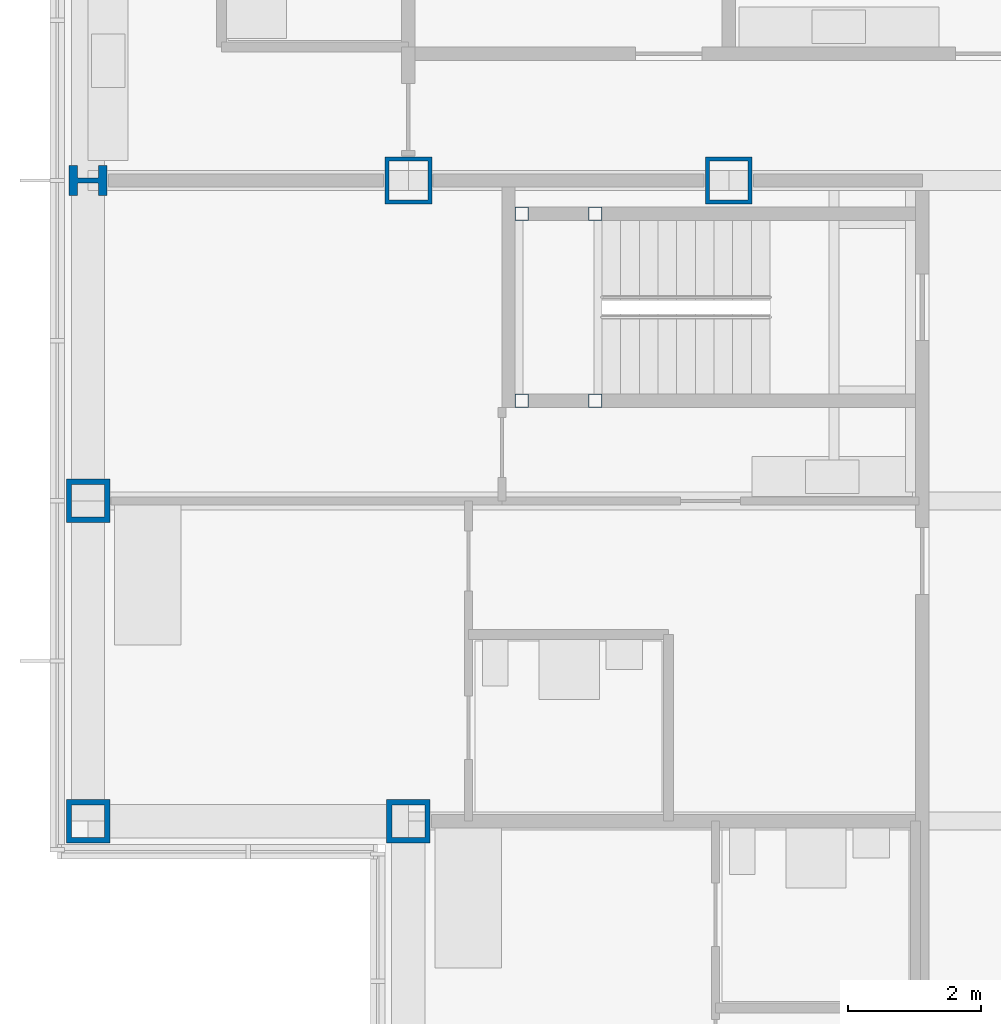
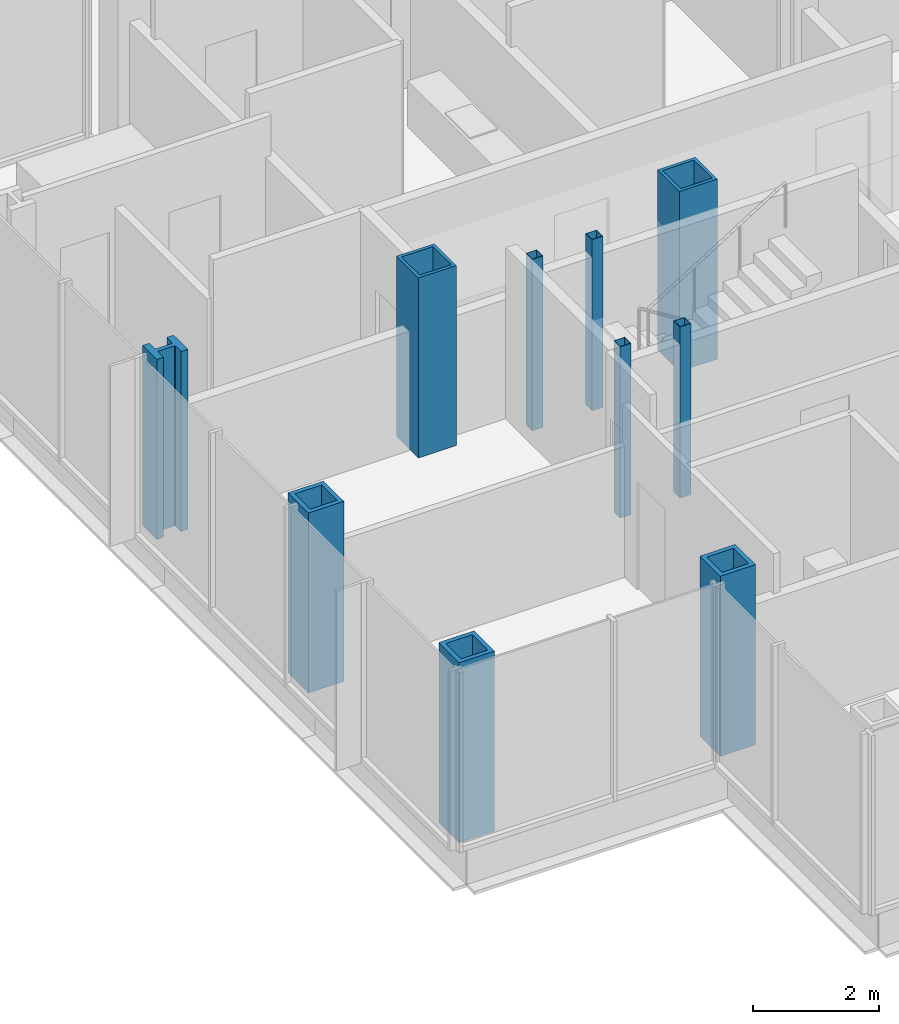
# One storey, part 3 of 20: 10 columns.
"""IFC4 building model written with IfcOpenShell, lengths in metres."""

import ifcopenshell
import ifcopenshell.guid

model = None  # the IFC model being written
_history = None  # IfcOwnerHistory: only IFC2X3 demands one
_inside = {}  # id of a spatial element -> (the spatial element, [elements in it])
_under = {}  # id of a project, library or spatial element -> (it, [spatial elements below it])
_declared = {}  # id of a project -> (the project, [libraries it declares])
_typed = {}  # id of a type object -> (the type object, [elements of that type])
_made_of = {}  # id of a material, layer set ... -> (it, [elements and type objects made of it])


def new_model(schema):
    """Start an empty IFC model of exactly this schema.

    Asked for "IFC4X3", IfcOpenShell would pick the latest addendum, in which some entities
    have other attributes; the version numbers below select the first issue.
    IFC2X3 requires an IfcOwnerHistory on every rooted entity: one is made here for all.
    """
    global model, _history
    if schema == "IFC4X3":
        model = ifcopenshell.file(schema_version=(4, 3, 0, 0))
    else:
        model = ifcopenshell.file(schema=schema)
    _inside.clear()
    _under.clear()
    _declared.clear()
    _typed.clear()
    _made_of.clear()
    _history = None
    if model.schema == "IFC2X3":
        org = make("IfcOrganization", Name="unknown")
        user = make(
            "IfcPersonAndOrganization",
            ThePerson=make("IfcPerson", FamilyName="unknown"),
            TheOrganization=org,
        )
        app = make(
            "IfcApplication",
            ApplicationDeveloper=org,
            Version="unknown",
            ApplicationFullName="unknown",
            ApplicationIdentifier="unknown",
        )
        _history = make(
            "IfcOwnerHistory",
            OwningUser=user,
            OwningApplication=app,
            ChangeAction="ADDED",
            CreationDate=0,
        )
    return model


def make(cls, **values):
    """One entity of the class cls with the attributes given. An attribute that is None is left unset."""
    return model.create_entity(
        cls, **{name: value for name, value in values.items() if value is not None}
    )


def rooted(cls, **values):
    """An entity with a GlobalId (a new one), such as an element, a storey or a relation."""
    return make(cls, GlobalId=ifcopenshell.guid.new(), OwnerHistory=_history, **values)


def si_unit(unit_type, name, prefix=None):
    """IfcSIUnit, for example si_unit("LENGTHUNIT", "METRE", prefix="MILLI")."""
    return make("IfcSIUnit", UnitType=unit_type, Prefix=prefix, Name=name)


def assignment(units):
    """IfcUnitAssignment: the units of a project."""
    return None if units is None else make("IfcUnitAssignment", Units=units)


def point(xyz):
    """IfcCartesianPoint."""
    return None if xyz is None else make("IfcCartesianPoint", Coordinates=xyz)


def direction(xyz):
    """IfcDirection."""
    return None if xyz is None else make("IfcDirection", DirectionRatios=xyz)


def frame(location, z_axis=None, x_axis=None):
    """IfcAxis2Placement3D, a coordinate frame: its origin and axes. An axis left out is left unset."""
    return make(
        "IfcAxis2Placement3D",
        Location=point(location),
        Axis=direction(z_axis),
        RefDirection=direction(x_axis),
    )


def frame_2d(location, x_axis=None):
    """IfcAxis2Placement2D, a coordinate frame in the plane: its origin and x axis."""
    return make(
        "IfcAxis2Placement2D", Location=point(location), RefDirection=direction(x_axis)
    )


def origin():
    """The frame at (0, 0, 0) with its axes left unset."""
    return frame((0.0, 0.0, 0.0))


def origin_2d():
    """The frame at (0, 0) in the plane with its x axis left unset."""
    return frame_2d((0.0, 0.0))


def place(relative_to, where):
    """IfcLocalPlacement: puts the frame where relative to a parent placement (None: the world)."""
    return make(
        "IfcLocalPlacement", PlacementRelTo=relative_to, RelativePlacement=where
    )


def context(
    kind, dimensions, precision=None, world=None, true_north=None, identifier=None
):
    """IfcGeometricRepresentationContext, for example the 3D "Model" context."""
    return make(
        "IfcGeometricRepresentationContext",
        ContextIdentifier=identifier,
        ContextType=kind,
        CoordinateSpaceDimension=dimensions,
        Precision=precision,
        WorldCoordinateSystem=world,
        TrueNorth=true_north,
    )


def subcontext(parent, identifier, kind, view, scale=None):
    """IfcGeometricRepresentationSubContext, for example "Body" below "Model"."""
    return make(
        "IfcGeometricRepresentationSubContext",
        ContextIdentifier=identifier,
        ContextType=kind,
        ParentContext=parent,
        TargetScale=scale,
        TargetView=view,
    )


def project(units=None, contexts=None):
    """IfcProject with its units and contexts."""
    return rooted(
        "IfcProject",
        Name="project",
        RepresentationContexts=contexts,
        UnitsInContext=assignment(units),
    )


def spatial(cls, under=None, at=None, **own):
    """A site, building, storey or space (cls), placed at a placement, below another one or the project."""
    s = rooted(cls, ObjectPlacement=at, **own)
    if under is not None:
        _under.setdefault(under.id(), (under, []))[1].append(s)
    return s


def profile(cls, at=None, kind="AREA", **sizes):
    """A parametric profile (cls). Its sizes go by their IFC names, for example OverallWidth=200.0."""
    return make(cls, ProfileType=kind, Position=at, **sizes)


def hollow_rectangle(**sizes):
    """IfcRectangleHollowProfileDef."""
    return profile("IfcRectangleHollowProfileDef", **sizes)


def i_section(**sizes):
    """IfcIShapeProfileDef."""
    return profile("IfcIShapeProfileDef", **sizes)


def extrude(swept, where, along, depth):
    """IfcExtrudedAreaSolid: the profile swept, set in the frame where, extruded along a direction by depth."""
    return make(
        "IfcExtrudedAreaSolid",
        SweptArea=swept,
        Position=where,
        ExtrudedDirection=direction(along),
        Depth=depth,
    )


def shape(context_of_items, identifier, shape_type, items):
    """IfcShapeRepresentation: the items that make up one representation, for example the "Body"."""
    return make(
        "IfcShapeRepresentation",
        ContextOfItems=context_of_items,
        RepresentationIdentifier=identifier,
        RepresentationType=shape_type,
        Items=items,
    )


def material(Name=None, Category=None):
    """IfcMaterial."""
    return make("IfcMaterial", Name=Name, Category=Category)


def material_profile(
    of_material, cross_section, Name=None, Category=None, Priority=None
):
    """IfcMaterialProfile: a cross section and its material."""
    return make(
        "IfcMaterialProfile",
        Name=Name,
        Material=of_material,
        Profile=cross_section,
        Priority=Priority,
        Category=Category,
    )


def profile_set(profiles, Name=None, composite=None):
    """IfcMaterialProfileSet."""
    return make(
        "IfcMaterialProfileSet",
        Name=Name,
        MaterialProfiles=profiles,
        CompositeProfile=composite,
    )


def made_of(thing, what):
    """Note that an element or type object is made of a material, layer set ...; save() writes the relation."""
    if what is not None:
        _made_of.setdefault(what.id(), (what, []))[1].append(thing)
    return thing


def type_object(cls, material=None, **own):
    """A type object (cls), such as IfcWallType, which elements share."""
    return made_of(rooted(cls, **own), material)


def element(
    cls,
    number,
    at=None,
    inside=None,
    cuts=None,
    type_object=None,
    material=None,
    context=None,
    identifier="Body",
    shape_type=None,
    held_by="IfcProductDefinitionShape",
    body=None,
    shapes=None,
    **own,
):
    """One element of the class cls, such as IfcWall. Its Tag is "e" and its number.

    at: its placement. inside: the storey or other place that contains it. cuts: it is an
    opening in that element (IfcRelVoidsElement). A single representation is given by context,
    identifier, shape_type and body (its items); several are given by shapes. held_by: the class
    of the entity that holds the representations. save() writes the other relations.
    """
    e = rooted(cls, Tag="e%d" % number, ObjectPlacement=at, **own)
    if body is not None:
        shapes = [shape(context, identifier, shape_type, body)]
    if shapes is not None:
        e.Representation = make(held_by, Representations=shapes)
    if inside is not None:
        _inside.setdefault(inside.id(), (inside, []))[1].append(e)
    if cuts is not None:
        rooted(
            "IfcRelVoidsElement", RelatingBuildingElement=cuts, RelatedOpeningElement=e
        )
    if type_object is not None:
        _typed.setdefault(type_object.id(), (type_object, []))[1].append(e)
    return made_of(e, material)


def aggregate(whole, parts):
    """IfcRelAggregates: a whole, such as a stair, and the parts it consists of."""
    return rooted("IfcRelAggregates", RelatingObject=whole, RelatedObjects=parts)


def save(model, path):
    """Write the relations noted so far, then the file.

    IfcRelAggregates (storeys below a building ...), IfcRelContainedInSpatialStructure (elements
    in a storey), IfcRelDefinesByType, IfcRelAssociatesMaterial and IfcRelDeclares: one each for
    every whole, place, type object, material and project.
    """
    for whole, parts in _under.values():
        aggregate(whole, parts)
    for where, things in _inside.values():
        rooted(
            "IfcRelContainedInSpatialStructure",
            RelatedElements=things,
            RelatingStructure=where,
        )
    for kind, things in _typed.values():
        rooted("IfcRelDefinesByType", RelatedObjects=things, RelatingType=kind)
    for what, things in _made_of.values():
        rooted("IfcRelAssociatesMaterial", RelatedObjects=things, RelatingMaterial=what)
    for by, libraries in _declared.values():
        rooted("IfcRelDeclares", RelatingContext=by, RelatedDefinitions=libraries)
    model.write(path)


model = new_model("IFC4")

# Units and contexts
model_context = context("Model", 3, precision=1e-05, world=origin(), true_north=direction((0.0, 1.0)))
body_context = subcontext(model_context, "Body", "Model", "MODEL_VIEW")
ifc_project = project(units=[si_unit("LENGTHUNIT", "METRE"), si_unit("AREAUNIT", "SQUARE_METRE"), si_unit("VOLUMEUNIT", "CUBIC_METRE"), si_unit("PLANEANGLEUNIT", "RADIAN"), si_unit("MASSUNIT", "GRAM", prefix="KILO")], contexts=[model_context])

# Site, building, storey
site_placement = place(None, origin())
site = spatial("IfcSite", under=ifc_project, at=site_placement, CompositionType="ELEMENT")
building_placement = place(site_placement, origin())
building = spatial("IfcBuilding", under=site, at=building_placement, Name="Kvirike Care Tower", CompositionType="ELEMENT")
storey_placement = place(building_placement, frame((0.0, 0.0, 91.0)))
storey = spatial("IfcBuildingStorey", under=building, at=storey_placement, Name="L24", CompositionType="ELEMENT", Elevation=91.0)

# Columns
ifc_material_1 = material(Name="Steel S460", Category="steel")
ifc_material_profile_1 = material_profile(ifc_material_1, hollow_rectangle(XDim=0.64990234375, YDim=0.64990234375, WallThickness=0.080078125, at=origin_2d()), Name="BX 650x650x80")
ifc_profile_set_1 = profile_set([ifc_material_profile_1], Name="Steel S460")
column_type_1 = type_object("IfcColumnType", Name="COLUMN BX 650x650x80", PredefinedType="COLUMN", material=ifc_profile_set_1)
for number, where, z_axis, x_axis, name in (
    (1, (0.0, 33.60009765625, 0.0), (0.0, 0.0, 1.0), (0.0, 1.0, 0.0), "Column H3 L24"),
    (2, (0.0, 38.39990234375, 0.0), (0.0, 0.0, 1.0), (1.0, 0.0, 0.0), "Column J3 L24"),
    (3, (4.800048828125, 33.60009765625, 0.0), (0.0, 0.0, 1.0), (0.0, 1.0, 0.0), "Column H4 L24"),
):
    element("IfcColumn", number, at=place(storey_placement, frame(where, z_axis=z_axis, x_axis=x_axis)), inside=storey, type_object=column_type_1, Name=name, PredefinedType="COLUMN", context=body_context, shape_type="SweptSolid", body=[
        extrude(hollow_rectangle(XDim=0.64990234375, YDim=0.64990234375, WallThickness=0.080078125, at=origin_2d()), origin(), (0.0, 0.0, 1.0), 3.5),
    ])
ifc_material_2 = material(Name="Steel S460", Category="steel")
ifc_material_profile_2 = material_profile(ifc_material_2, hollow_rectangle(XDim=0.699951171875, YDim=0.699951171875, WallThickness=0.06005859375, at=origin_2d()), Name="BX 700x700x60")
ifc_profile_set_2 = profile_set([ifc_material_profile_2], Name="Steel S460")
column_type_2 = type_object("IfcColumnType", Name="COLUMN BX 700x700x60", PredefinedType="COLUMN", material=ifc_profile_set_2)
for number, where, z_axis, x_axis, name in (
    (4, (4.800048828125, 43.199951171875, 0.0), (0.0, 0.0, 1.0), (0.0, 1.0, 0.0), "Column K4 L24"),
    (5, (9.60009765625, 43.199951171875, 0.0), (0.0, 0.0, 1.0), (0.0, 1.0, 0.0), "Column K5 L24"),
):
    element("IfcColumn", number, at=place(storey_placement, frame(where, z_axis=z_axis, x_axis=x_axis)), inside=storey, type_object=column_type_2, Name=name, PredefinedType="COLUMN", context=body_context, shape_type="SweptSolid", body=[
        extrude(hollow_rectangle(XDim=0.699951171875, YDim=0.699951171875, WallThickness=0.06005859375, at=origin_2d()), origin(), (0.0, 0.0, 1.0), 3.5),
    ])
ifc_material_3 = material(Name="Steel S460", Category="steel")
ifc_material_profile_3 = material_profile(ifc_material_3, i_section(OverallWidth=0.4541015625, OverallDepth=0.569091796875, WebThickness=0.077880859375, FlangeThickness=0.125, FilletRadius=0.014892578125, at=origin_2d()), Name="HD 400x1086")
ifc_profile_set_3 = profile_set([ifc_material_profile_3], Name="Steel S460")
column_type_3 = type_object("IfcColumnType", Name="COLUMN HD 400x1086", PredefinedType="COLUMN", material=ifc_profile_set_3)
column_placement = place(storey_placement, frame((0.0, 43.199951171875, 0.0), z_axis=(0.0, 0.0, 1.0), x_axis=(0.0, 1.0, 0.0)))
element("IfcColumn", 6, at=column_placement, inside=storey, type_object=column_type_3, Name="Column K3 L24", PredefinedType="COLUMN", context=body_context, shape_type="SweptSolid", body=[
    extrude(i_section(OverallWidth=0.4541015625, OverallDepth=0.569091796875, WebThickness=0.077880859375, FlangeThickness=0.125, FilletRadius=0.014892578125, at=origin_2d()), origin(), (0.0, 0.0, 1.0), 3.5),
])
ifc_material_4 = material(Name="Steel S460", Category="steel")
ifc_material_profile_4 = material_profile(ifc_material_4, hollow_rectangle(XDim=0.199951171875, YDim=0.199951171875, WallThickness=0.008056640625, at=origin_2d()), Name="SHS 200x200x8")
ifc_profile_set_4 = profile_set([ifc_material_profile_4], Name="Steel S460")
column_type_4 = type_object("IfcColumnType", Name="STAIR POST SHS 200x200x8", PredefinedType="COLUMN", material=ifc_profile_set_4)
for number, where, z_axis, x_axis, name in (
    (7, (6.5, 42.699951171875, 0.0), (0.0, 0.0, 1.0), (1.0, 0.0, 0.0), "Stair 1 post 1 L24"),
    (8, (6.5, 39.89990234375, 0.0), (0.0, 0.0, 1.0), (1.0, 0.0, 0.0), "Stair 1 post 2 L24"),
    (9, (7.60009765625, 42.699951171875, 0.0), (0.0, 0.0, 1.0), (1.0, 0.0, 0.0), "Stair 1 post 3 L24"),
    (10, (7.60009765625, 39.89990234375, 0.0), (0.0, 0.0, 1.0), (1.0, 0.0, 0.0), "Stair 1 post 4 L24"),
):
    element("IfcColumn", number, at=place(storey_placement, frame(where, z_axis=z_axis, x_axis=x_axis)), inside=storey, type_object=column_type_4, Name=name, PredefinedType="COLUMN", context=body_context, shape_type="SweptSolid", body=[
        extrude(hollow_rectangle(XDim=0.199951171875, YDim=0.199951171875, WallThickness=0.008056640625, at=origin_2d()), origin(), (0.0, 0.0, 1.0), 3.330078125),
    ])

save(model, "model.ifc")
